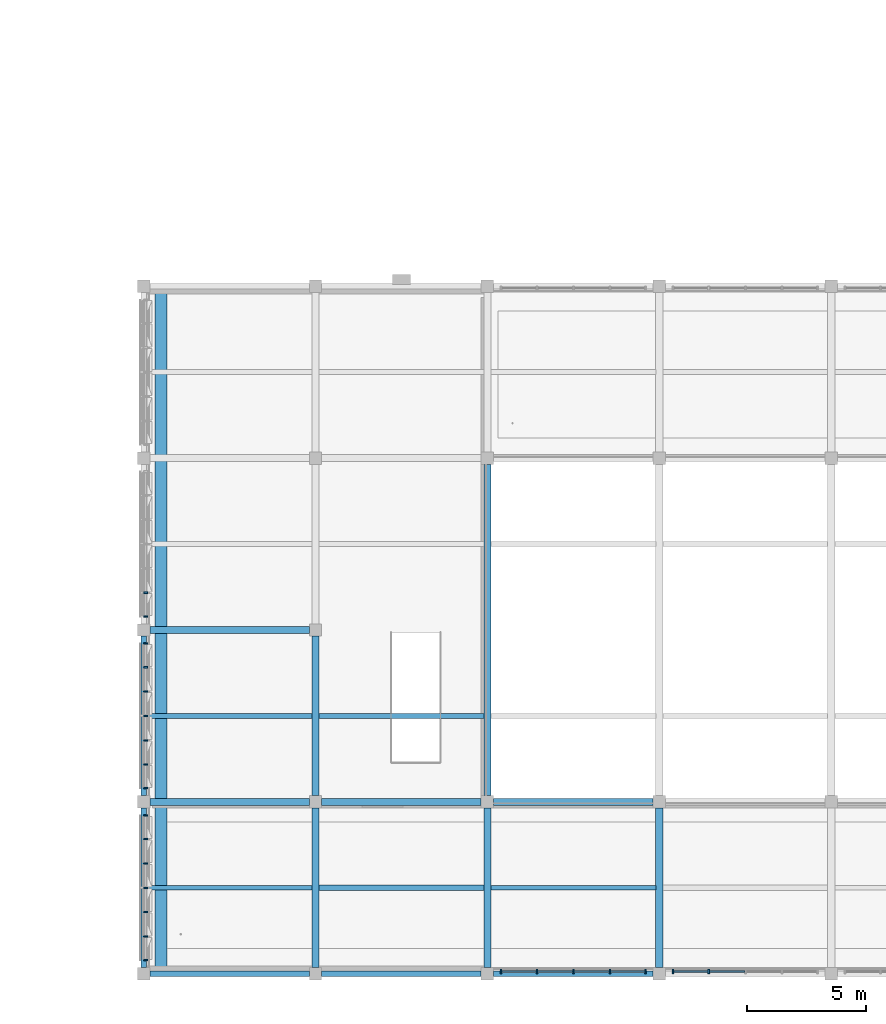
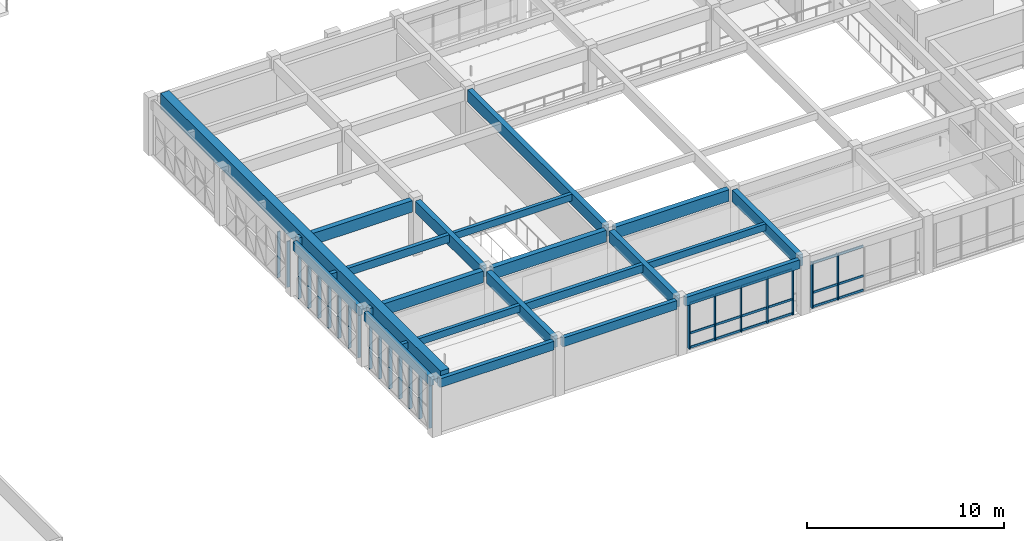
# One storey, part 9 of 74: 41 members, 20 beams, 5 elements without a shape of their own.
"""IFC4 building model written with IfcOpenShell, lengths in metres."""

import ifcopenshell
import ifcopenshell.guid

model = None  # the IFC model being written
_history = None  # IfcOwnerHistory: only IFC2X3 demands one
_inside = {}  # id of a spatial element -> (the spatial element, [elements in it])
_under = {}  # id of a project, library or spatial element -> (it, [spatial elements below it])
_declared = {}  # id of a project -> (the project, [libraries it declares])
_typed = {}  # id of a type object -> (the type object, [elements of that type])
_made_of = {}  # id of a material, layer set ... -> (it, [elements and type objects made of it])


def new_model(schema):
    """Start an empty IFC model of exactly this schema.

    Asked for "IFC4X3", IfcOpenShell would pick the latest addendum, in which some entities
    have other attributes; the version numbers below select the first issue.
    IFC2X3 requires an IfcOwnerHistory on every rooted entity: one is made here for all.
    """
    global model, _history
    if schema == "IFC4X3":
        model = ifcopenshell.file(schema_version=(4, 3, 0, 0))
    else:
        model = ifcopenshell.file(schema=schema)
    _inside.clear()
    _under.clear()
    _declared.clear()
    _typed.clear()
    _made_of.clear()
    _history = None
    if model.schema == "IFC2X3":
        org = make("IfcOrganization", Name="unknown")
        user = make(
            "IfcPersonAndOrganization",
            ThePerson=make("IfcPerson", FamilyName="unknown"),
            TheOrganization=org,
        )
        app = make(
            "IfcApplication",
            ApplicationDeveloper=org,
            Version="unknown",
            ApplicationFullName="unknown",
            ApplicationIdentifier="unknown",
        )
        _history = make(
            "IfcOwnerHistory",
            OwningUser=user,
            OwningApplication=app,
            ChangeAction="ADDED",
            CreationDate=0,
        )
    return model


def make(cls, **values):
    """One entity of the class cls with the attributes given. An attribute that is None is left unset."""
    return model.create_entity(
        cls, **{name: value for name, value in values.items() if value is not None}
    )


def rooted(cls, **values):
    """An entity with a GlobalId (a new one), such as an element, a storey or a relation."""
    return make(cls, GlobalId=ifcopenshell.guid.new(), OwnerHistory=_history, **values)


def si_unit(unit_type, name, prefix=None):
    """IfcSIUnit, for example si_unit("LENGTHUNIT", "METRE", prefix="MILLI")."""
    return make("IfcSIUnit", UnitType=unit_type, Prefix=prefix, Name=name)


def assignment(units):
    """IfcUnitAssignment: the units of a project."""
    return None if units is None else make("IfcUnitAssignment", Units=units)


def point(xyz):
    """IfcCartesianPoint."""
    return None if xyz is None else make("IfcCartesianPoint", Coordinates=xyz)


def direction(xyz):
    """IfcDirection."""
    return None if xyz is None else make("IfcDirection", DirectionRatios=xyz)


def frame(location, z_axis=None, x_axis=None):
    """IfcAxis2Placement3D, a coordinate frame: its origin and axes. An axis left out is left unset."""
    return make(
        "IfcAxis2Placement3D",
        Location=point(location),
        Axis=direction(z_axis),
        RefDirection=direction(x_axis),
    )


def frame_2d(location, x_axis=None):
    """IfcAxis2Placement2D, a coordinate frame in the plane: its origin and x axis."""
    return make(
        "IfcAxis2Placement2D", Location=point(location), RefDirection=direction(x_axis)
    )


def origin():
    """The frame at (0, 0, 0) with its axes left unset."""
    return frame((0.0, 0.0, 0.0))


def origin_2d():
    """The frame at (0, 0) in the plane with its x axis left unset."""
    return frame_2d((0.0, 0.0))


def place(relative_to, where):
    """IfcLocalPlacement: puts the frame where relative to a parent placement (None: the world)."""
    return make(
        "IfcLocalPlacement", PlacementRelTo=relative_to, RelativePlacement=where
    )


def context(
    kind, dimensions, precision=None, world=None, true_north=None, identifier=None
):
    """IfcGeometricRepresentationContext, for example the 3D "Model" context."""
    return make(
        "IfcGeometricRepresentationContext",
        ContextIdentifier=identifier,
        ContextType=kind,
        CoordinateSpaceDimension=dimensions,
        Precision=precision,
        WorldCoordinateSystem=world,
        TrueNorth=true_north,
    )


def subcontext(parent, identifier, kind, view, scale=None):
    """IfcGeometricRepresentationSubContext, for example "Body" below "Model"."""
    return make(
        "IfcGeometricRepresentationSubContext",
        ContextIdentifier=identifier,
        ContextType=kind,
        ParentContext=parent,
        TargetScale=scale,
        TargetView=view,
    )


def project(units=None, contexts=None):
    """IfcProject with its units and contexts."""
    return rooted(
        "IfcProject",
        Name="project",
        RepresentationContexts=contexts,
        UnitsInContext=assignment(units),
    )


def spatial(cls, under=None, at=None, **own):
    """A site, building, storey or space (cls), placed at a placement, below another one or the project."""
    s = rooted(cls, ObjectPlacement=at, **own)
    if under is not None:
        _under.setdefault(under.id(), (under, []))[1].append(s)
    return s


def profile(cls, at=None, kind="AREA", **sizes):
    """A parametric profile (cls). Its sizes go by their IFC names, for example OverallWidth=200.0."""
    return make(cls, ProfileType=kind, Position=at, **sizes)


def rectangle(**sizes):
    """IfcRectangleProfileDef."""
    return profile("IfcRectangleProfileDef", **sizes)


def extrude(swept, where, along, depth):
    """IfcExtrudedAreaSolid: the profile swept, set in the frame where, extruded along a direction by depth."""
    return make(
        "IfcExtrudedAreaSolid",
        SweptArea=swept,
        Position=where,
        ExtrudedDirection=direction(along),
        Depth=depth,
    )


def shape(context_of_items, identifier, shape_type, items):
    """IfcShapeRepresentation: the items that make up one representation, for example the "Body"."""
    return make(
        "IfcShapeRepresentation",
        ContextOfItems=context_of_items,
        RepresentationIdentifier=identifier,
        RepresentationType=shape_type,
        Items=items,
    )


def material(Name=None, Category=None):
    """IfcMaterial."""
    return make("IfcMaterial", Name=Name, Category=Category)


def material_profile(
    of_material, cross_section, Name=None, Category=None, Priority=None
):
    """IfcMaterialProfile: a cross section and its material."""
    return make(
        "IfcMaterialProfile",
        Name=Name,
        Material=of_material,
        Profile=cross_section,
        Priority=Priority,
        Category=Category,
    )


def profile_set(profiles, Name=None, composite=None):
    """IfcMaterialProfileSet."""
    return make(
        "IfcMaterialProfileSet",
        Name=Name,
        MaterialProfiles=profiles,
        CompositeProfile=composite,
    )


def made_of(thing, what):
    """Note that an element or type object is made of a material, layer set ...; save() writes the relation."""
    if what is not None:
        _made_of.setdefault(what.id(), (what, []))[1].append(thing)
    return thing


def type_object(cls, material=None, **own):
    """A type object (cls), such as IfcWallType, which elements share."""
    return made_of(rooted(cls, **own), material)


def element(
    cls,
    number,
    at=None,
    inside=None,
    cuts=None,
    type_object=None,
    material=None,
    context=None,
    identifier="Body",
    shape_type=None,
    held_by="IfcProductDefinitionShape",
    body=None,
    shapes=None,
    **own,
):
    """One element of the class cls, such as IfcWall. Its Tag is "e" and its number.

    at: its placement. inside: the storey or other place that contains it. cuts: it is an
    opening in that element (IfcRelVoidsElement). A single representation is given by context,
    identifier, shape_type and body (its items); several are given by shapes. held_by: the class
    of the entity that holds the representations. save() writes the other relations.
    """
    e = rooted(cls, Tag="e%d" % number, ObjectPlacement=at, **own)
    if body is not None:
        shapes = [shape(context, identifier, shape_type, body)]
    if shapes is not None:
        e.Representation = make(held_by, Representations=shapes)
    if inside is not None:
        _inside.setdefault(inside.id(), (inside, []))[1].append(e)
    if cuts is not None:
        rooted(
            "IfcRelVoidsElement", RelatingBuildingElement=cuts, RelatedOpeningElement=e
        )
    if type_object is not None:
        _typed.setdefault(type_object.id(), (type_object, []))[1].append(e)
    return made_of(e, material)


def aggregate(whole, parts):
    """IfcRelAggregates: a whole, such as a stair, and the parts it consists of."""
    return rooted("IfcRelAggregates", RelatingObject=whole, RelatedObjects=parts)


def save(model, path):
    """Write the relations noted so far, then the file.

    IfcRelAggregates (storeys below a building ...), IfcRelContainedInSpatialStructure (elements
    in a storey), IfcRelDefinesByType, IfcRelAssociatesMaterial and IfcRelDeclares: one each for
    every whole, place, type object, material and project.
    """
    for whole, parts in _under.values():
        aggregate(whole, parts)
    for where, things in _inside.values():
        rooted(
            "IfcRelContainedInSpatialStructure",
            RelatedElements=things,
            RelatingStructure=where,
        )
    for kind, things in _typed.values():
        rooted("IfcRelDefinesByType", RelatedObjects=things, RelatingType=kind)
    for what, things in _made_of.values():
        rooted("IfcRelAssociatesMaterial", RelatedObjects=things, RelatingMaterial=what)
    for by, libraries in _declared.values():
        rooted("IfcRelDeclares", RelatingContext=by, RelatedDefinitions=libraries)
    model.write(path)


model = new_model("IFC4")

# Units and contexts
model_context = context("Model", 3, precision=1e-05, world=origin(), true_north=direction((0.0, 1.0)))
body_context = subcontext(model_context, "Body", "Model", "MODEL_VIEW")
ifc_project = project(units=[si_unit("LENGTHUNIT", "METRE"), si_unit("AREAUNIT", "SQUARE_METRE"), si_unit("VOLUMEUNIT", "CUBIC_METRE"), si_unit("PLANEANGLEUNIT", "RADIAN"), si_unit("MASSUNIT", "GRAM", prefix="KILO")], contexts=[model_context])

# Site, building, storey
site_placement = place(None, origin())
site = spatial("IfcSite", under=ifc_project, at=site_placement, CompositionType="ELEMENT")
building_placement = place(site_placement, origin())
building = spatial("IfcBuilding", under=site, at=building_placement, Name="Alvorim Cloister Faculty of Sciences", CompositionType="ELEMENT")
storey_placement = place(building_placement, frame((0.0, 0.0, 15.75)))
storey = spatial("IfcBuildingStorey", under=building, at=storey_placement, Name="L04", CompositionType="ELEMENT", Elevation=15.75)

# Beams
ifc_material_1 = material(Name="Glulam GL32h", Category="wood")
ifc_material_profile_1 = material_profile(ifc_material_1, rectangle(XDim=0.300048828125, YDim=0.719970703125, at=origin_2d()), Name="GL32-BM-300x720")
ifc_profile_set_1 = profile_set([ifc_material_profile_1], Name="Glulam GL32h")
beam_type_1 = type_object("IfcBeamType", Name="BM-GL-300x720", PredefinedType="BEAM", material=ifc_profile_set_1)
for number, where, z_axis, x_axis, name in (
    (1, (65.06005859375, 7.199951171875, 3.030029296875), (1.0, 0.0, 0.0), (0.0, 1.0, 0.0), "L04 Primary Beam BM-1732"),
    (2, (72.260009765625, 7.199951171875, 3.030029296875), (1.0, 0.0, 0.0), (0.0, 1.0, 0.0), "L04 Primary Beam BM-1733"),
    (3, (79.4599609375, 7.199951171875, 3.030029296875), (1.0, 0.0, 0.0), (0.0, 1.0, 0.0), "L04 Primary Beam BM-1734"),
    (4, (65.06005859375, 14.39990234375, 3.030029296875), (1.0, 0.0, 0.0), (0.0, 1.0, 0.0), "L04 Primary Beam BM-1742"),
    (5, (72.0, 0.260009765625, 3.030029296875), (0.0, 1.0, 0.0), (-1.0, 0.0, 0.0), "L04 Primary Girder BM-1867"),
    (6, (72.0, 7.4599609375, 3.030029296875), (0.0, 1.0, 0.0), (-1.0, 0.0, 0.0), "L04 Primary Girder BM-1868"),
    (7, (79.199951171875, 0.260009765625, 3.030029296875), (0.0, 1.0, 0.0), (-1.0, 0.0, 0.0), "L04 Primary Girder BM-1871"),
):
    element("IfcBeam", number, at=place(storey_placement, frame(where, z_axis=z_axis, x_axis=x_axis)), inside=storey, type_object=beam_type_1, Name=name, PredefinedType="BEAM", context=body_context, shape_type="SweptSolid", body=[
        extrude(rectangle(XDim=0.300048828125, YDim=0.719970703125, at=origin_2d()), origin(), (0.0, 0.0, 1.0), 6.679931640625),
    ])
beam_1_placement = place(storey_placement, frame((79.199951171875, 7.4599609375, 3.030029296875), z_axis=(0.0, 1.0, 0.0), x_axis=(-1.0, 0.0, 0.0)))
element("IfcBeam", 8, at=beam_1_placement, inside=storey, type_object=beam_type_1, Name="L04 Primary Girder BM-1872", PredefinedType="BEAM", context=body_context, shape_type="SweptSolid", body=[
    extrude(rectangle(XDim=0.300048828125, YDim=0.719970703125, at=origin_2d()), origin(), (0.0, 0.0, 1.0), 13.880126953125),
])
beam_2_placement = place(storey_placement, frame((86.39990234375, 0.260009765625, 3.030029296875), z_axis=(0.0, 1.0, 0.0), x_axis=(-1.0, 0.0, 0.0)))
element("IfcBeam", 9, at=beam_2_placement, inside=storey, type_object=beam_type_1, Name="L04 Primary Girder BM-1874", PredefinedType="BEAM", context=body_context, shape_type="SweptSolid", body=[
    extrude(rectangle(XDim=0.300048828125, YDim=0.719970703125, at=origin_2d()), origin(), (0.0, 0.0, 1.0), 6.679931640625),
])
ifc_material_2 = material(Name="Glulam GL28h", Category="wood")
ifc_material_profile_2 = material_profile(ifc_material_2, rectangle(XDim=0.199951171875, YDim=0.419921875, at=origin_2d()), Name="GL28-JST-200x420")
ifc_profile_set_2 = profile_set([ifc_material_profile_2], Name="Glulam GL28h")
beam_type_2 = type_object("IfcBeamType", Name="BM-JST-GL-200x420", PredefinedType="JOIST", material=ifc_profile_set_2)
beam_3_placement = place(storey_placement, frame((64.919921875, 3.60009765625, 3.179931640625), z_axis=(1.0, 0.0, 0.0), x_axis=(0.0, 1.0, 0.0)))
element("IfcBeam", 10, at=beam_3_placement, inside=storey, type_object=beam_type_2, Name="L04 Secondary Floor Joist BM-1937", PredefinedType="JOIST", context=body_context, shape_type="SweptSolid", body=[
    extrude(rectangle(XDim=0.199951171875, YDim=0.419921875, at=origin_2d()), origin(), (0.0, 0.0, 1.0), 6.93017578125),
])
beam_4_placement = place(storey_placement, frame((72.14990234375, 10.800048828125, 3.179931640625), z_axis=(1.0, 0.0, 0.0), x_axis=(0.0, 1.0, 0.0)))
element("IfcBeam", 11, at=beam_4_placement, inside=storey, type_object=beam_type_2, Name="L04 Secondary Floor Joist BM-1942", PredefinedType="JOIST", context=body_context, shape_type="SweptSolid", body=[
    extrude(rectangle(XDim=0.199951171875, YDim=0.419921875, at=origin_2d()), origin(), (0.0, 0.0, 1.0), 6.900146484375),
])
beam_5_placement = place(storey_placement, frame((79.35009765625, 3.60009765625, 3.179931640625), z_axis=(1.0, 0.0, 0.0), x_axis=(0.0, 1.0, 0.0)))
element("IfcBeam", 12, at=beam_5_placement, inside=storey, type_object=beam_type_2, Name="L04 Secondary Floor Joist BM-1945", PredefinedType="JOIST", context=body_context, shape_type="SweptSolid", body=[
    extrude(rectangle(XDim=0.199951171875, YDim=0.419921875, at=origin_2d()), origin(), (0.0, 0.0, 1.0), 6.89990234375),
])
ifc_material_profile_3 = material_profile(ifc_material_2, rectangle(XDim=0.219970703125, YDim=0.47998046875, at=origin_2d()), Name="GL28-JST-220x480")
ifc_profile_set_3 = profile_set([ifc_material_profile_3], Name="Glulam GL28h")
beam_type_3 = type_object("IfcBeamType", Name="BM-JST-GL-220x480", PredefinedType="JOIST", material=ifc_profile_set_3)
beam_6_placement = place(storey_placement, frame((64.919921875, 10.800048828125, 3.14990234375), z_axis=(1.0, 0.0, 0.0), x_axis=(0.0, 1.0, 0.0)))
element("IfcBeam", 13, at=beam_6_placement, inside=storey, type_object=beam_type_3, Name="L04 Secondary Floor Joist BM-1938", PredefinedType="JOIST", context=body_context, shape_type="SweptSolid", body=[
    extrude(rectangle(XDim=0.219970703125, YDim=0.47998046875, at=origin_2d()), origin(), (0.0, 0.0, 1.0), 6.93017578125),
])
beam_7_placement = place(storey_placement, frame((72.14990234375, 3.60009765625, 3.14990234375), z_axis=(1.0, 0.0, 0.0), x_axis=(0.0, 1.0, 0.0)))
element("IfcBeam", 14, at=beam_7_placement, inside=storey, type_object=beam_type_3, Name="L04 Secondary Floor Joist BM-1941", PredefinedType="JOIST", context=body_context, shape_type="SweptSolid", body=[
    extrude(rectangle(XDim=0.219970703125, YDim=0.47998046875, at=origin_2d()), origin(), (0.0, 0.0, 1.0), 6.900146484375),
])
ifc_material_3 = material(Name="Concrete C40", Category="concrete")
ifc_material_profile_4 = material_profile(ifc_material_3, rectangle(XDim=0.5, YDim=0.949951171875, at=origin_2d()), Name="RC40-BM-500x950")
ifc_profile_set_4 = profile_set([ifc_material_profile_4], Name="Concrete C40")
beam_type_4 = type_object("IfcBeamType", Name="BM-RC-500x950", PredefinedType="BEAM", material=ifc_profile_set_4)
beam_8_placement = place(storey_placement, frame((65.52001953125, 0.199951171875, 3.125), z_axis=(0.0, 1.0, 0.0), x_axis=(-1.0, 0.0, 0.0)))
element("IfcBeam", 15, at=beam_8_placement, inside=storey, type_object=beam_type_4, Name="L04 SH-V3 Gable Tympanum Sill Girder BM-2513", PredefinedType="BEAM", context=body_context, shape_type="SweptSolid", body=[
    extrude(rectangle(XDim=0.5, YDim=0.949951171875, at=origin_2d()), origin(), (0.0, 0.0, 1.0), 28.400146484375),
])
ifc_material_profile_5 = material_profile(ifc_material_2, rectangle(XDim=0.239990234375, YDim=0.5400390625, at=origin_2d()), Name="GL28-SPD-240x540")
ifc_profile_set_5 = profile_set([ifc_material_profile_5], Name="Glulam GL28h")
beam_type_5 = type_object("IfcBeamType", Name="BM-SPD-GL-240x540", PredefinedType="SPANDREL", material=ifc_profile_set_5)
for number, where, z_axis, x_axis, name in (
    (16, (65.06005859375, 0.0, 3.1201171875), (1.0, 0.0, 0.0), (0.0, 1.0, 0.0), "L04 Primary Beam BM-1722"),
    (17, (72.260009765625, 0.0, 3.1201171875), (1.0, 0.0, 0.0), (0.0, 1.0, 0.0), "L04 Primary Beam BM-1723"),
    (18, (79.4599609375, 0.0, 3.1201171875), (1.0, 0.0, 0.0), (0.0, 1.0, 0.0), "L04 Primary Beam BM-1724"),
    (19, (64.800048828125, 0.260009765625, 3.1201171875), (0.0, 1.0, 0.0), (-1.0, 0.0, 0.0), "L04 Primary Girder BM-1863"),
    (20, (64.800048828125, 7.4599609375, 3.1201171875), (0.0, 1.0, 0.0), (-1.0, 0.0, 0.0), "L04 Primary Girder BM-1864"),
):
    element("IfcBeam", number, at=place(storey_placement, frame(where, z_axis=z_axis, x_axis=x_axis)), inside=storey, type_object=beam_type_5, Name=name, PredefinedType="SPANDREL", context=body_context, shape_type="SweptSolid", body=[
        extrude(rectangle(XDim=0.239990234375, YDim=0.5400390625, at=origin_2d()), origin(), (0.0, 0.0, 1.0), 6.679931640625),
    ])

# Curtain wall, members
ifc_material_4 = material(Name="Aluminium and Low-E Glass Curtain Wall", Category="aluminium")
curtain_wall_type_1 = type_object("IfcCurtainWallType", Name="CW-GLZ-6120x2850", PredefinedType="USERDEFINED", material=ifc_material_4)
curtain_wall_1_placement = place(storey_placement, origin())
curtain_wall_1 = element("IfcCurtainWall", 21, at=curtain_wall_1_placement, inside=storey, type_object=curtain_wall_type_1, Name="L04 Entrance and Atrium Glazed Curtain Wall CW-0204", ObjectType="UNITISED CURTAIN WALL", PredefinedType="USERDEFINED")
ifc_material_5 = material(Name="Aluminium Alloy 6063-T6", Category="aluminium")
ifc_material_profile_6 = material_profile(ifc_material_5, rectangle(XDim=0.06494140625, YDim=0.179931640625, at=origin_2d()), Name="ALU-MUL-65x180")
ifc_profile_set_6 = profile_set([ifc_material_profile_6], Name="Aluminium Alloy 6063-T6")
member_type_1 = type_object("IfcMemberType", Name="CW-MUL-65x180", PredefinedType="MULLION", material=ifc_profile_set_6)
member_1_placement = place(storey_placement, frame((86.972412109375, 0.090087890625, 0.0), z_axis=(0.0, 0.0, 1.0), x_axis=(1.0, 0.0, 0.0)))
member_1 = element("IfcMember", 22, at=member_1_placement, type_object=member_type_1, Name="CW-10 mullion 1", PredefinedType="MULLION", context=body_context, shape_type="SweptSolid", body=[
    extrude(rectangle(XDim=0.06494140625, YDim=0.179931640625, at=origin_2d()), origin(), (0.0, 0.0, 1.0), 2.85009765625),
])
member_2_placement = place(storey_placement, frame((88.469970703125, 0.090087890625, 0.0), z_axis=(0.0, 0.0, 1.0), x_axis=(1.0, 0.0, 0.0)))
member_2 = element("IfcMember", 23, at=member_2_placement, type_object=member_type_1, Name="CW-10 mullion 2", PredefinedType="MULLION", context=body_context, shape_type="SweptSolid", body=[
    extrude(rectangle(XDim=0.06494140625, YDim=0.179931640625, at=origin_2d()), origin(), (0.0, 0.0, 1.0), 2.85009765625),
])

curtain_wall_2_placement = place(storey_placement, origin())
curtain_wall_2 = element("IfcCurtainWall", 24, at=curtain_wall_2_placement, inside=storey, type_object=curtain_wall_type_1, Name="L04 Entrance and Atrium Glazed Curtain Wall CW-0205", ObjectType="UNITISED CURTAIN WALL", PredefinedType="USERDEFINED")
member_3_placement = place(storey_placement, frame((79.7724609375, 0.090087890625, 0.0), z_axis=(0.0, 0.0, 1.0), x_axis=(1.0, 0.0, 0.0)))
member_3 = element("IfcMember", 25, at=member_3_placement, type_object=member_type_1, Name="CW-10 mullion 1", PredefinedType="MULLION", context=body_context, shape_type="SweptSolid", body=[
    extrude(rectangle(XDim=0.06494140625, YDim=0.179931640625, at=origin_2d()), origin(), (0.0, 0.0, 1.0), 2.85009765625),
])
member_4_placement = place(storey_placement, frame((81.27001953125, 0.090087890625, 0.0), z_axis=(0.0, 0.0, 1.0), x_axis=(1.0, 0.0, 0.0)))
member_4 = element("IfcMember", 26, at=member_4_placement, type_object=member_type_1, Name="CW-10 mullion 2", PredefinedType="MULLION", context=body_context, shape_type="SweptSolid", body=[
    extrude(rectangle(XDim=0.06494140625, YDim=0.179931640625, at=origin_2d()), origin(), (0.0, 0.0, 1.0), 2.85009765625),
])
member_5_placement = place(storey_placement, frame((82.800048828125, 0.090087890625, 0.0), z_axis=(0.0, 0.0, 1.0), x_axis=(1.0, 0.0, 0.0)))
member_5 = element("IfcMember", 27, at=member_5_placement, type_object=member_type_1, Name="CW-10 mullion 3", PredefinedType="MULLION", context=body_context, shape_type="SweptSolid", body=[
    extrude(rectangle(XDim=0.06494140625, YDim=0.179931640625, at=origin_2d()), origin(), (0.0, 0.0, 1.0), 2.85009765625),
])
member_6_placement = place(storey_placement, frame((84.330078125, 0.090087890625, 0.0), z_axis=(0.0, 0.0, 1.0), x_axis=(1.0, 0.0, 0.0)))
member_6 = element("IfcMember", 28, at=member_6_placement, type_object=member_type_1, Name="CW-10 mullion 4", PredefinedType="MULLION", context=body_context, shape_type="SweptSolid", body=[
    extrude(rectangle(XDim=0.06494140625, YDim=0.179931640625, at=origin_2d()), origin(), (0.0, 0.0, 1.0), 2.85009765625),
])
member_7_placement = place(storey_placement, frame((85.827392578125, 0.090087890625, 0.0), z_axis=(0.0, 0.0, 1.0), x_axis=(1.0, 0.0, 0.0)))
member_7 = element("IfcMember", 29, at=member_7_placement, type_object=member_type_1, Name="CW-10 mullion 5", PredefinedType="MULLION", context=body_context, shape_type="SweptSolid", body=[
    extrude(rectangle(XDim=0.06494140625, YDim=0.179931640625, at=origin_2d()), origin(), (0.0, 0.0, 1.0), 2.85009765625),
])

curtain_wall_type_2 = type_object("IfcCurtainWallType", Name="CW-TRI-6120x2746", PredefinedType="USERDEFINED", material=ifc_material_4)
curtain_wall_3_placement = place(storey_placement, origin())
curtain_wall_3 = element("IfcCurtainWall", 30, at=curtain_wall_3_placement, inside=storey, type_object=curtain_wall_type_2, Name="L04 Diagonal Cassette Curtain Wall CW-0206", ObjectType="UNITISED CURTAIN WALL", PredefinedType="USERDEFINED")
member_8_placement = place(storey_placement, frame((64.889892578125, 0.572509765625, 0.0), z_axis=(0.0, 0.0, 1.0), x_axis=(0.0, 1.0, 0.0)))
member_8 = element("IfcMember", 31, at=member_8_placement, type_object=member_type_1, Name="CW-0206 Mullion 1", PredefinedType="MULLION", context=body_context, shape_type="SweptSolid", body=[
    extrude(rectangle(XDim=0.06494140625, YDim=0.179931640625, at=origin_2d()), origin(), (0.0, 0.0, 1.0), 2.74560546875),
])
member_9_placement = place(storey_placement, frame((64.889892578125, 1.56005859375, 0.0), z_axis=(0.0, 0.0, 1.0), x_axis=(0.0, 1.0, 0.0)))
member_9 = element("IfcMember", 32, at=member_9_placement, type_object=member_type_1, Name="CW-0206 Mullion 2", PredefinedType="MULLION", context=body_context, shape_type="SweptSolid", body=[
    extrude(rectangle(XDim=0.06494140625, YDim=0.179931640625, at=origin_2d()), origin(), (0.0, 0.0, 1.0), 2.74560546875),
])
member_10_placement = place(storey_placement, frame((64.889892578125, 2.580078125, 0.0), z_axis=(0.0, 0.0, 1.0), x_axis=(0.0, 1.0, 0.0)))
member_10 = element("IfcMember", 33, at=member_10_placement, type_object=member_type_1, Name="CW-0206 Mullion 3", PredefinedType="MULLION", context=body_context, shape_type="SweptSolid", body=[
    extrude(rectangle(XDim=0.06494140625, YDim=0.179931640625, at=origin_2d()), origin(), (0.0, 0.0, 1.0), 2.74560546875),
])
member_11_placement = place(storey_placement, frame((64.889892578125, 3.60009765625, 0.0), z_axis=(0.0, 0.0, 1.0), x_axis=(0.0, 1.0, 0.0)))
member_11 = element("IfcMember", 34, at=member_11_placement, type_object=member_type_1, Name="CW-0206 Mullion 4", PredefinedType="MULLION", context=body_context, shape_type="SweptSolid", body=[
    extrude(rectangle(XDim=0.06494140625, YDim=0.179931640625, at=origin_2d()), origin(), (0.0, 0.0, 1.0), 2.74560546875),
])
member_12_placement = place(storey_placement, frame((64.889892578125, 4.6201171875, 0.0), z_axis=(0.0, 0.0, 1.0), x_axis=(0.0, 1.0, 0.0)))
member_12 = element("IfcMember", 35, at=member_12_placement, type_object=member_type_1, Name="CW-0206 Mullion 5", PredefinedType="MULLION", context=body_context, shape_type="SweptSolid", body=[
    extrude(rectangle(XDim=0.06494140625, YDim=0.179931640625, at=origin_2d()), origin(), (0.0, 0.0, 1.0), 2.74560546875),
])
member_13_placement = place(storey_placement, frame((64.889892578125, 5.639892578125, 0.0), z_axis=(0.0, 0.0, 1.0), x_axis=(0.0, 1.0, 0.0)))
member_13 = element("IfcMember", 36, at=member_13_placement, type_object=member_type_1, Name="CW-0206 Mullion 6", PredefinedType="MULLION", context=body_context, shape_type="SweptSolid", body=[
    extrude(rectangle(XDim=0.06494140625, YDim=0.179931640625, at=origin_2d()), origin(), (0.0, 0.0, 1.0), 2.74560546875),
])
member_14_placement = place(storey_placement, frame((64.889892578125, 6.62744140625, 0.0), z_axis=(0.0, 0.0, 1.0), x_axis=(0.0, 1.0, 0.0)))
member_14 = element("IfcMember", 37, at=member_14_placement, type_object=member_type_1, Name="CW-0206 Mullion 7", PredefinedType="MULLION", context=body_context, shape_type="SweptSolid", body=[
    extrude(rectangle(XDim=0.06494140625, YDim=0.179931640625, at=origin_2d()), origin(), (0.0, 0.0, 1.0), 2.74560546875),
])
aggregate(curtain_wall_3, [member_8, member_9, member_10, member_11, member_12, member_13, member_14])

curtain_wall_type_3 = type_object("IfcCurtainWallType", Name="CW-TRI-6120x2850", PredefinedType="USERDEFINED", material=ifc_material_4)
curtain_wall_4_placement = place(storey_placement, origin())
curtain_wall_4 = element("IfcCurtainWall", 38, at=curtain_wall_4_placement, inside=storey, type_object=curtain_wall_type_3, Name="L04 Diagonal Cassette Curtain Wall CW-0207", ObjectType="UNITISED CURTAIN WALL", PredefinedType="USERDEFINED")
member_15_placement = place(storey_placement, frame((64.889892578125, 7.7724609375, 0.0), z_axis=(0.0, 0.0, 1.0), x_axis=(0.0, 1.0, 0.0)))
member_15 = element("IfcMember", 39, at=member_15_placement, type_object=member_type_1, Name="CW-0207 Mullion 1", PredefinedType="MULLION", context=body_context, shape_type="SweptSolid", body=[
    extrude(rectangle(XDim=0.06494140625, YDim=0.179931640625, at=origin_2d()), origin(), (0.0, 0.0, 1.0), 2.85009765625),
])
member_16_placement = place(storey_placement, frame((64.889892578125, 8.760009765625, 0.0), z_axis=(0.0, 0.0, 1.0), x_axis=(0.0, 1.0, 0.0)))
member_16 = element("IfcMember", 40, at=member_16_placement, type_object=member_type_1, Name="CW-0207 Mullion 2", PredefinedType="MULLION", context=body_context, shape_type="SweptSolid", body=[
    extrude(rectangle(XDim=0.06494140625, YDim=0.179931640625, at=origin_2d()), origin(), (0.0, 0.0, 1.0), 2.85009765625),
])
member_17_placement = place(storey_placement, frame((64.889892578125, 9.780029296875, 0.0), z_axis=(0.0, 0.0, 1.0), x_axis=(0.0, 1.0, 0.0)))
member_17 = element("IfcMember", 41, at=member_17_placement, type_object=member_type_1, Name="CW-0207 Mullion 3", PredefinedType="MULLION", context=body_context, shape_type="SweptSolid", body=[
    extrude(rectangle(XDim=0.06494140625, YDim=0.179931640625, at=origin_2d()), origin(), (0.0, 0.0, 1.0), 2.85009765625),
])
member_18_placement = place(storey_placement, frame((64.889892578125, 10.800048828125, 0.0), z_axis=(0.0, 0.0, 1.0), x_axis=(0.0, 1.0, 0.0)))
member_18 = element("IfcMember", 42, at=member_18_placement, type_object=member_type_1, Name="CW-0207 Mullion 4", PredefinedType="MULLION", context=body_context, shape_type="SweptSolid", body=[
    extrude(rectangle(XDim=0.06494140625, YDim=0.179931640625, at=origin_2d()), origin(), (0.0, 0.0, 1.0), 2.85009765625),
])
member_19_placement = place(storey_placement, frame((64.889892578125, 11.820068359375, 0.0), z_axis=(0.0, 0.0, 1.0), x_axis=(0.0, 1.0, 0.0)))
member_19 = element("IfcMember", 43, at=member_19_placement, type_object=member_type_1, Name="CW-0207 Mullion 5", PredefinedType="MULLION", context=body_context, shape_type="SweptSolid", body=[
    extrude(rectangle(XDim=0.06494140625, YDim=0.179931640625, at=origin_2d()), origin(), (0.0, 0.0, 1.0), 2.85009765625),
])
member_20_placement = place(storey_placement, frame((64.889892578125, 12.840087890625, 0.0), z_axis=(0.0, 0.0, 1.0), x_axis=(0.0, 1.0, 0.0)))
member_20 = element("IfcMember", 44, at=member_20_placement, type_object=member_type_1, Name="CW-0207 Mullion 6", PredefinedType="MULLION", context=body_context, shape_type="SweptSolid", body=[
    extrude(rectangle(XDim=0.06494140625, YDim=0.179931640625, at=origin_2d()), origin(), (0.0, 0.0, 1.0), 2.85009765625),
])
member_21_placement = place(storey_placement, frame((64.889892578125, 13.827392578125, 0.0), z_axis=(0.0, 0.0, 1.0), x_axis=(0.0, 1.0, 0.0)))
member_21 = element("IfcMember", 45, at=member_21_placement, type_object=member_type_1, Name="CW-0207 Mullion 7", PredefinedType="MULLION", context=body_context, shape_type="SweptSolid", body=[
    extrude(rectangle(XDim=0.06494140625, YDim=0.179931640625, at=origin_2d()), origin(), (0.0, 0.0, 1.0), 2.85009765625),
])
aggregate(curtain_wall_4, [member_15, member_16, member_17, member_18, member_19, member_20, member_21])

curtain_wall_5_placement = place(storey_placement, origin())
curtain_wall_5 = element("IfcCurtainWall", 46, at=curtain_wall_5_placement, inside=storey, type_object=curtain_wall_type_3, Name="L04 Diagonal Cassette Curtain Wall CW-0208", ObjectType="UNITISED CURTAIN WALL", PredefinedType="USERDEFINED")
member_22_placement = place(storey_placement, frame((64.889892578125, 14.972412109375, 0.0), z_axis=(0.0, 0.0, 1.0), x_axis=(0.0, 1.0, 0.0)))
member_22 = element("IfcMember", 47, at=member_22_placement, type_object=member_type_1, Name="CW-0208 Mullion 1", PredefinedType="MULLION", context=body_context, shape_type="SweptSolid", body=[
    extrude(rectangle(XDim=0.06494140625, YDim=0.179931640625, at=origin_2d()), origin(), (0.0, 0.0, 1.0), 2.85009765625),
])
member_23_placement = place(storey_placement, frame((64.889892578125, 15.9599609375, 0.0), z_axis=(0.0, 0.0, 1.0), x_axis=(0.0, 1.0, 0.0)))
member_23 = element("IfcMember", 48, at=member_23_placement, type_object=member_type_1, Name="CW-0208 Mullion 2", PredefinedType="MULLION", context=body_context, shape_type="SweptSolid", body=[
    extrude(rectangle(XDim=0.06494140625, YDim=0.179931640625, at=origin_2d()), origin(), (0.0, 0.0, 1.0), 2.85009765625),
])
aggregate(curtain_wall_5, [member_22, member_23])

# Member
ifc_material_profile_7 = material_profile(ifc_material_5, rectangle(XDim=0.06494140625, YDim=0.139892578125, at=origin_2d()), Name="ALU-TRN-65x140")
ifc_profile_set_7 = profile_set([ifc_material_profile_7], Name="Aluminium Alloy 6063-T6")
member_type_2 = type_object("IfcMemberType", Name="CW-TRN-65x140", PredefinedType="USERDEFINED", material=ifc_profile_set_7)
member_24_placement = place(storey_placement, frame((87.0048828125, 0.090087890625, 0.070068359375), z_axis=(1.0, 0.0, 0.0), x_axis=(0.0, 1.0, 0.0)))
member_24 = element("IfcMember", 49, at=member_24_placement, type_object=member_type_2, Name="CW-10 transom 1.1", ObjectType="TRANSOM", PredefinedType="USERDEFINED", context=body_context, shape_type="SweptSolid", body=[
    extrude(rectangle(XDim=0.06494140625, YDim=0.139892578125, at=origin_2d()), origin(), (0.0, 0.0, 1.0), 1.4326171875),
])

member_25_placement = place(storey_placement, frame((87.0048828125, 0.090087890625, 0.949951171875), z_axis=(1.0, 0.0, 0.0), x_axis=(0.0, 1.0, 0.0)))
member_25 = element("IfcMember", 50, at=member_25_placement, type_object=member_type_2, Name="CW-10 transom 1.2", ObjectType="TRANSOM", PredefinedType="USERDEFINED", context=body_context, shape_type="SweptSolid", body=[
    extrude(rectangle(XDim=0.06494140625, YDim=0.139892578125, at=origin_2d()), origin(), (0.0, 0.0, 1.0), 1.4326171875),
])

member_26_placement = place(storey_placement, frame((87.0048828125, 0.090087890625, 2.780029296875), z_axis=(1.0, 0.0, 0.0), x_axis=(0.0, 1.0, 0.0)))
member_26 = element("IfcMember", 51, at=member_26_placement, type_object=member_type_2, Name="CW-10 transom 1.3", ObjectType="TRANSOM", PredefinedType="USERDEFINED", context=body_context, shape_type="SweptSolid", body=[
    extrude(rectangle(XDim=0.06494140625, YDim=0.139892578125, at=origin_2d()), origin(), (0.0, 0.0, 1.0), 1.4326171875),
])

member_27_placement = place(storey_placement, frame((88.50244140625, 0.090087890625, 0.070068359375), z_axis=(1.0, 0.0, 0.0), x_axis=(0.0, 1.0, 0.0)))
member_27 = element("IfcMember", 52, at=member_27_placement, type_object=member_type_2, Name="CW-10 transom 2.1", ObjectType="TRANSOM", PredefinedType="USERDEFINED", context=body_context, shape_type="SweptSolid", body=[
    extrude(rectangle(XDim=0.06494140625, YDim=0.139892578125, at=origin_2d()), origin(), (0.0, 0.0, 1.0), 1.465087890625),
])

member_28_placement = place(storey_placement, frame((88.50244140625, 0.090087890625, 0.949951171875), z_axis=(1.0, 0.0, 0.0), x_axis=(0.0, 1.0, 0.0)))
member_28 = element("IfcMember", 53, at=member_28_placement, type_object=member_type_2, Name="CW-10 transom 2.2", ObjectType="TRANSOM", PredefinedType="USERDEFINED", context=body_context, shape_type="SweptSolid", body=[
    extrude(rectangle(XDim=0.06494140625, YDim=0.139892578125, at=origin_2d()), origin(), (0.0, 0.0, 1.0), 1.465087890625),
])

member_29_placement = place(storey_placement, frame((88.50244140625, 0.090087890625, 2.780029296875), z_axis=(1.0, 0.0, 0.0), x_axis=(0.0, 1.0, 0.0)))
member_29 = element("IfcMember", 54, at=member_29_placement, type_object=member_type_2, Name="CW-10 transom 2.3", ObjectType="TRANSOM", PredefinedType="USERDEFINED", context=body_context, shape_type="SweptSolid", body=[
    extrude(rectangle(XDim=0.06494140625, YDim=0.139892578125, at=origin_2d()), origin(), (0.0, 0.0, 1.0), 1.465087890625),
])

aggregate(curtain_wall_1, [member_1, member_2, member_24, member_25, member_26, member_27, member_28, member_29])

member_30_placement = place(storey_placement, frame((79.804931640625, 0.090087890625, 0.070068359375), z_axis=(1.0, 0.0, 0.0), x_axis=(0.0, 1.0, 0.0)))
member_30 = element("IfcMember", 55, at=member_30_placement, type_object=member_type_2, Name="CW-10 transom 1.1", ObjectType="TRANSOM", PredefinedType="USERDEFINED", context=body_context, shape_type="SweptSolid", body=[
    extrude(rectangle(XDim=0.06494140625, YDim=0.139892578125, at=origin_2d()), origin(), (0.0, 0.0, 1.0), 1.4326171875),
])

member_31_placement = place(storey_placement, frame((79.804931640625, 0.090087890625, 0.949951171875), z_axis=(1.0, 0.0, 0.0), x_axis=(0.0, 1.0, 0.0)))
member_31 = element("IfcMember", 56, at=member_31_placement, type_object=member_type_2, Name="CW-10 transom 1.2", ObjectType="TRANSOM", PredefinedType="USERDEFINED", context=body_context, shape_type="SweptSolid", body=[
    extrude(rectangle(XDim=0.06494140625, YDim=0.139892578125, at=origin_2d()), origin(), (0.0, 0.0, 1.0), 1.4326171875),
])

member_32_placement = place(storey_placement, frame((79.804931640625, 0.090087890625, 2.780029296875), z_axis=(1.0, 0.0, 0.0), x_axis=(0.0, 1.0, 0.0)))
member_32 = element("IfcMember", 57, at=member_32_placement, type_object=member_type_2, Name="CW-10 transom 1.3", ObjectType="TRANSOM", PredefinedType="USERDEFINED", context=body_context, shape_type="SweptSolid", body=[
    extrude(rectangle(XDim=0.06494140625, YDim=0.139892578125, at=origin_2d()), origin(), (0.0, 0.0, 1.0), 1.4326171875),
])

member_33_placement = place(storey_placement, frame((81.302490234375, 0.090087890625, 0.070068359375), z_axis=(1.0, 0.0, 0.0), x_axis=(0.0, 1.0, 0.0)))
member_33 = element("IfcMember", 58, at=member_33_placement, type_object=member_type_2, Name="CW-10 transom 2.1", ObjectType="TRANSOM", PredefinedType="USERDEFINED", context=body_context, shape_type="SweptSolid", body=[
    extrude(rectangle(XDim=0.06494140625, YDim=0.139892578125, at=origin_2d()), origin(), (0.0, 0.0, 1.0), 1.465087890625),
])

member_34_placement = place(storey_placement, frame((81.302490234375, 0.090087890625, 0.949951171875), z_axis=(1.0, 0.0, 0.0), x_axis=(0.0, 1.0, 0.0)))
member_34 = element("IfcMember", 59, at=member_34_placement, type_object=member_type_2, Name="CW-10 transom 2.2", ObjectType="TRANSOM", PredefinedType="USERDEFINED", context=body_context, shape_type="SweptSolid", body=[
    extrude(rectangle(XDim=0.06494140625, YDim=0.139892578125, at=origin_2d()), origin(), (0.0, 0.0, 1.0), 1.465087890625),
])

member_35_placement = place(storey_placement, frame((81.302490234375, 0.090087890625, 2.780029296875), z_axis=(1.0, 0.0, 0.0), x_axis=(0.0, 1.0, 0.0)))
member_35 = element("IfcMember", 60, at=member_35_placement, type_object=member_type_2, Name="CW-10 transom 2.3", ObjectType="TRANSOM", PredefinedType="USERDEFINED", context=body_context, shape_type="SweptSolid", body=[
    extrude(rectangle(XDim=0.06494140625, YDim=0.139892578125, at=origin_2d()), origin(), (0.0, 0.0, 1.0), 1.465087890625),
])

member_36_placement = place(storey_placement, frame((82.83251953125, 0.090087890625, 0.070068359375), z_axis=(1.0, 0.0, 0.0), x_axis=(0.0, 1.0, 0.0)))
member_36 = element("IfcMember", 61, at=member_36_placement, type_object=member_type_2, Name="CW-10 transom 3.1", ObjectType="TRANSOM", PredefinedType="USERDEFINED", context=body_context, shape_type="SweptSolid", body=[
    extrude(rectangle(XDim=0.06494140625, YDim=0.139892578125, at=origin_2d()), origin(), (0.0, 0.0, 1.0), 1.465087890625),
])

member_37_placement = place(storey_placement, frame((82.83251953125, 0.090087890625, 0.949951171875), z_axis=(1.0, 0.0, 0.0), x_axis=(0.0, 1.0, 0.0)))
member_37 = element("IfcMember", 62, at=member_37_placement, type_object=member_type_2, Name="CW-10 transom 3.2", ObjectType="TRANSOM", PredefinedType="USERDEFINED", context=body_context, shape_type="SweptSolid", body=[
    extrude(rectangle(XDim=0.06494140625, YDim=0.139892578125, at=origin_2d()), origin(), (0.0, 0.0, 1.0), 1.465087890625),
])

member_38_placement = place(storey_placement, frame((82.83251953125, 0.090087890625, 2.780029296875), z_axis=(1.0, 0.0, 0.0), x_axis=(0.0, 1.0, 0.0)))
member_38 = element("IfcMember", 63, at=member_38_placement, type_object=member_type_2, Name="CW-10 transom 3.3", ObjectType="TRANSOM", PredefinedType="USERDEFINED", context=body_context, shape_type="SweptSolid", body=[
    extrude(rectangle(XDim=0.06494140625, YDim=0.139892578125, at=origin_2d()), origin(), (0.0, 0.0, 1.0), 1.465087890625),
])

member_39_placement = place(storey_placement, frame((84.362548828125, 0.090087890625, 0.070068359375), z_axis=(1.0, 0.0, 0.0), x_axis=(0.0, 1.0, 0.0)))
member_39 = element("IfcMember", 64, at=member_39_placement, type_object=member_type_2, Name="CW-10 transom 4.1", ObjectType="TRANSOM", PredefinedType="USERDEFINED", context=body_context, shape_type="SweptSolid", body=[
    extrude(rectangle(XDim=0.06494140625, YDim=0.139892578125, at=origin_2d()), origin(), (0.0, 0.0, 1.0), 1.432373046875),
])

member_40_placement = place(storey_placement, frame((84.362548828125, 0.090087890625, 0.949951171875), z_axis=(1.0, 0.0, 0.0), x_axis=(0.0, 1.0, 0.0)))
member_40 = element("IfcMember", 65, at=member_40_placement, type_object=member_type_2, Name="CW-10 transom 4.2", ObjectType="TRANSOM", PredefinedType="USERDEFINED", context=body_context, shape_type="SweptSolid", body=[
    extrude(rectangle(XDim=0.06494140625, YDim=0.139892578125, at=origin_2d()), origin(), (0.0, 0.0, 1.0), 1.432373046875),
])

member_41_placement = place(storey_placement, frame((84.362548828125, 0.090087890625, 2.780029296875), z_axis=(1.0, 0.0, 0.0), x_axis=(0.0, 1.0, 0.0)))
member_41 = element("IfcMember", 66, at=member_41_placement, type_object=member_type_2, Name="CW-10 transom 4.3", ObjectType="TRANSOM", PredefinedType="USERDEFINED", context=body_context, shape_type="SweptSolid", body=[
    extrude(rectangle(XDim=0.06494140625, YDim=0.139892578125, at=origin_2d()), origin(), (0.0, 0.0, 1.0), 1.432373046875),
])

aggregate(curtain_wall_2, [member_3, member_4, member_5, member_6, member_7, member_30, member_31, member_32, member_33, member_34, member_35, member_36, member_37, member_38, member_39, member_40, member_41])

save(model, "model.ifc")
